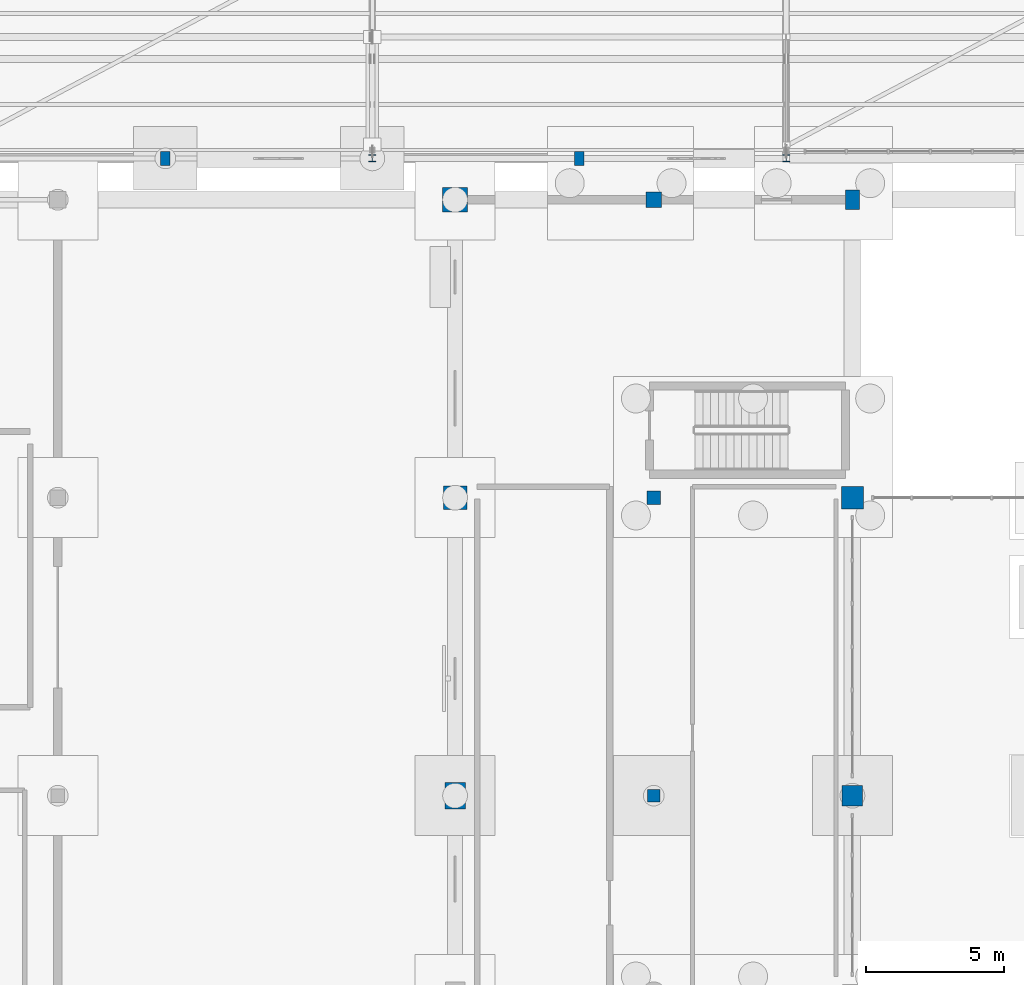
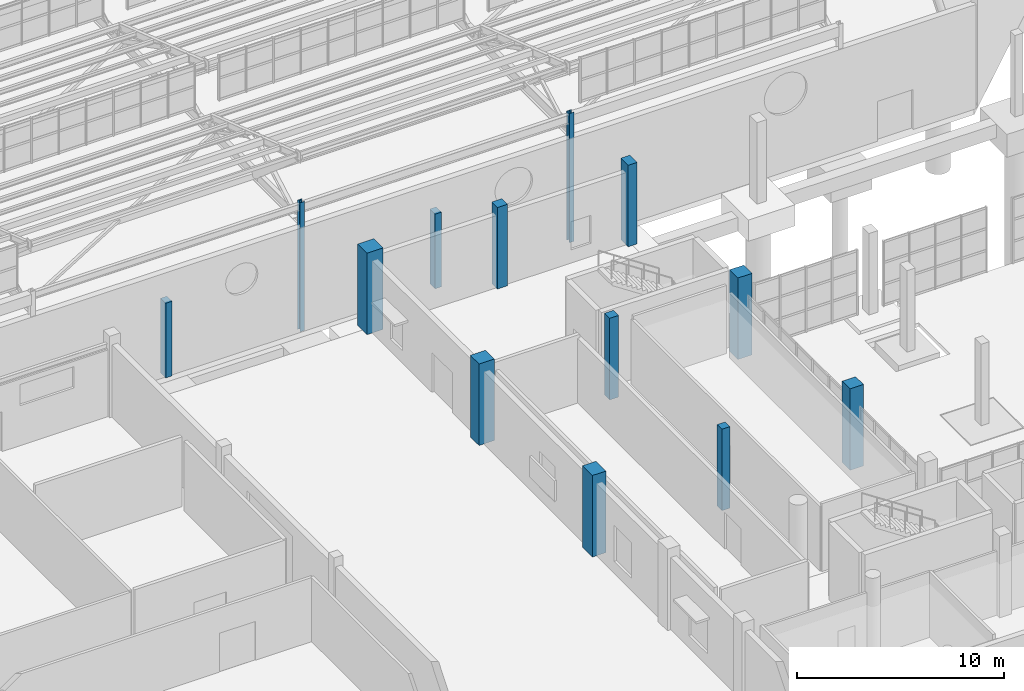
# One storey, part 17 of 285: 13 columns.
"""IFC4 building model written with IfcOpenShell, lengths in metres."""

from ifc_helpers import new_model, si_unit, direction, frame, origin, origin_2d, place, context, subcontext, project, spatial, rectangle, i_section, extrude, material, material_profile, profile_set, type_object, element, save


model = new_model("IFC4")

# Units and contexts
model_context = context("Model", 3, precision=1e-05, world=origin(), true_north=direction((0.0, 1.0)))
body_context = subcontext(model_context, "Body", "Model", "MODEL_VIEW")
ifc_project = project(units=[si_unit("LENGTHUNIT", "METRE"), si_unit("AREAUNIT", "SQUARE_METRE"), si_unit("VOLUMEUNIT", "CUBIC_METRE"), si_unit("PLANEANGLEUNIT", "RADIAN"), si_unit("MASSUNIT", "GRAM", prefix="KILO")], contexts=[model_context])

# Site, building, storey
site_placement = place(None, origin())
site = spatial("IfcSite", under=ifc_project, at=site_placement, CompositionType="ELEMENT")
building_placement = place(site_placement, origin())
building = spatial("IfcBuilding", under=site, at=building_placement, Name="Solanera Park Tramway Depot", CompositionType="ELEMENT")
storey_placement = place(building_placement, origin())
storey = spatial("IfcBuildingStorey", under=building, at=storey_placement, Name="L00", CompositionType="ELEMENT", Elevation=0.0)

# Columns
ifc_material_1 = material(Name="Concrete N40 (C40/50)", Category="concrete")
ifc_material_profile_1 = material_profile(ifc_material_1, rectangle(XDim=0.35009765625, YDim=0.5, at=origin_2d()), Name="PIL 350x500")
ifc_profile_set_1 = profile_set([ifc_material_profile_1], Name="Concrete N40 (C40/50)")
column_type_1 = type_object("IfcColumnType", Name="Classical Facade Pilaster PIL 350x500", PredefinedType="PILASTER", material=ifc_profile_set_1)
for number, where, z_axis, x_axis, name in (
    (1, (97.5, 55.5, 0.0), (0.0, 0.0, 1.0), (1.0, 0.0, 0.0), "L00 Classical Pilaster 04"),
    (2, (112.5, 55.5, 0.0), (0.0, 0.0, 1.0), (1.0, 0.0, 0.0), "L00 Classical Pilaster 05"),
):
    element("IfcColumn", number, at=place(storey_placement, frame(where, z_axis=z_axis, x_axis=x_axis)), inside=storey, type_object=column_type_1, Name=name, PredefinedType="PILASTER", context=body_context, shape_type="SweptSolid", body=[
        extrude(rectangle(XDim=0.35009765625, YDim=0.5, at=origin_2d()), origin(), (0.0, 0.0, 1.0), 4.39990234375),
    ])
ifc_material_2 = material(Name="Concrete N40 (C40/50)", Category="concrete")
ifc_material_profile_2 = material_profile(ifc_material_2, rectangle(XDim=0.5, YDim=0.699951171875, at=origin_2d()), Name="RC 500x700")
ifc_profile_set_2 = profile_set([ifc_material_profile_2], Name="Concrete N40 (C40/50)")
column_type_2 = type_object("IfcColumnType", Name="RC Column Ext RC 500x700", PredefinedType="COLUMN", material=ifc_profile_set_2)
column_1_placement = place(storey_placement, frame((122.39990234375, 54.0, 0.0), z_axis=(0.0, 0.0, 1.0), x_axis=(1.0, 0.0, 0.0)))
element("IfcColumn", 3, at=column_1_placement, inside=storey, type_object=column_type_2, Name="L00 Column V4-X1224-Y540", PredefinedType="COLUMN", context=body_context, shape_type="SweptSolid", body=[
    extrude(rectangle(XDim=0.5, YDim=0.699951171875, at=origin_2d()), origin(), (0.0, 0.0, 1.0), 4.800048828125),
])
ifc_material_3 = material(Name="Concrete N40 (C40/50)", Category="concrete")
ifc_material_profile_3 = material_profile(ifc_material_3, rectangle(XDim=0.550048828125, YDim=0.550048828125, at=origin_2d()), Name="RC 550x550")
ifc_profile_set_3 = profile_set([ifc_material_profile_3], Name="Concrete N40 (C40/50)")
column_type_3 = type_object("IfcColumnType", Name="RC Column Ext RC 550x550", PredefinedType="COLUMN", material=ifc_profile_set_3)
column_2_placement = place(storey_placement, frame((115.199951171875, 54.0, 0.0), z_axis=(0.0, 0.0, 1.0), x_axis=(1.0, 0.0, 0.0)))
element("IfcColumn", 4, at=column_2_placement, inside=storey, type_object=column_type_3, Name="L00 Column V4-X1152-Y540", PredefinedType="COLUMN", context=body_context, shape_type="SweptSolid", body=[
    extrude(rectangle(XDim=0.550048828125, YDim=0.550048828125, at=origin_2d()), origin(), (0.0, 0.0, 1.0), 4.800048828125),
])
ifc_material_4 = material(Name="Concrete N40 (C40/50)", Category="concrete")
ifc_material_profile_4 = material_profile(ifc_material_4, rectangle(XDim=0.75, YDim=0.949951171875, at=origin_2d()), Name="RC 750x950")
ifc_profile_set_4 = profile_set([ifc_material_profile_4], Name="Concrete N40 (C40/50)")
column_type_4 = type_object("IfcColumnType", Name="RC Column Ext RC 750x950", PredefinedType="COLUMN", material=ifc_profile_set_4)
column_3_placement = place(storey_placement, frame((108.0, 32.39990234375, 0.0), z_axis=(0.0, 0.0, 1.0), x_axis=(1.0, 0.0, 0.0)))
element("IfcColumn", 5, at=column_3_placement, inside=storey, type_object=column_type_4, Name="L00 Column V4-X1080-Y324", PredefinedType="COLUMN", context=body_context, shape_type="SweptSolid", body=[
    extrude(rectangle(XDim=0.75, YDim=0.949951171875, at=origin_2d()), origin(), (0.0, 0.0, 1.0), 4.800048828125),
])
ifc_material_5 = material(Name="Concrete N40 (C40/50)", Category="concrete")
ifc_material_profile_5 = material_profile(ifc_material_5, rectangle(XDim=0.85009765625, YDim=0.85009765625, at=origin_2d()), Name="RC 850x850")
ifc_profile_set_5 = profile_set([ifc_material_profile_5], Name="Concrete N40 (C40/50)")
column_type_5 = type_object("IfcColumnType", Name="RC Column Ext RC 850x850", PredefinedType="COLUMN", material=ifc_profile_set_5)
column_4_placement = place(storey_placement, frame((108.0, 43.199951171875, 0.0), z_axis=(0.0, 0.0, 1.0), x_axis=(1.0, 0.0, 0.0)))
element("IfcColumn", 6, at=column_4_placement, inside=storey, type_object=column_type_5, Name="L00 Column V4-X1080-Y432", PredefinedType="COLUMN", context=body_context, shape_type="SweptSolid", body=[
    extrude(rectangle(XDim=0.85009765625, YDim=0.85009765625, at=origin_2d()), origin(), (0.0, 0.0, 1.0), 4.800048828125),
])
ifc_material_6 = material(Name="Concrete N40 (C40/50)", Category="concrete")
ifc_material_profile_6 = material_profile(ifc_material_6, rectangle(XDim=0.89990234375, YDim=0.89990234375, at=origin_2d()), Name="RC 900x900")
ifc_profile_set_6 = profile_set([ifc_material_profile_6], Name="Concrete N40 (C40/50)")
column_type_6 = type_object("IfcColumnType", Name="RC Column Ext RC 900x900", PredefinedType="COLUMN", material=ifc_profile_set_6)
column_5_placement = place(storey_placement, frame((108.0, 54.0, 0.0), z_axis=(0.0, 0.0, 1.0), x_axis=(1.0, 0.0, 0.0)))
element("IfcColumn", 7, at=column_5_placement, inside=storey, type_object=column_type_6, Name="L00 Column V4-X1080-Y540", PredefinedType="COLUMN", context=body_context, shape_type="SweptSolid", body=[
    extrude(rectangle(XDim=0.89990234375, YDim=0.89990234375, at=origin_2d()), origin(), (0.0, 0.0, 1.0), 4.800048828125),
])
ifc_material_7 = material(Name="Concrete N40 (C40/50)", Category="concrete")
ifc_material_profile_7 = material_profile(ifc_material_7, rectangle(XDim=0.449951171875, YDim=0.449951171875, at=origin_2d()), Name="RC 450x450")
ifc_profile_set_7 = profile_set([ifc_material_profile_7], Name="Concrete N40 (C40/50)")
column_type_7 = type_object("IfcColumnType", Name="RC Column Int RC 450x450", PredefinedType="COLUMN", material=ifc_profile_set_7)
column_6_placement = place(storey_placement, frame((115.199951171875, 32.39990234375, 0.0), z_axis=(0.0, 0.0, 1.0), x_axis=(1.0, 0.0, 0.0)))
element("IfcColumn", 8, at=column_6_placement, inside=storey, type_object=column_type_7, Name="L00 Column V4-X1152-Y324", PredefinedType="COLUMN", context=body_context, shape_type="SweptSolid", body=[
    extrude(rectangle(XDim=0.449951171875, YDim=0.449951171875, at=origin_2d()), origin(), (0.0, 0.0, 1.0), 4.800048828125),
])
ifc_material_8 = material(Name="Concrete N40 (C40/50)", Category="concrete")
ifc_material_profile_8 = material_profile(ifc_material_8, rectangle(XDim=0.5, YDim=0.5, at=origin_2d()), Name="RC 500x500")
ifc_profile_set_8 = profile_set([ifc_material_profile_8], Name="Concrete N40 (C40/50)")
column_type_8 = type_object("IfcColumnType", Name="RC Column Int RC 500x500", PredefinedType="COLUMN", material=ifc_profile_set_8)
column_7_placement = place(storey_placement, frame((115.199951171875, 43.199951171875, 0.0), z_axis=(0.0, 0.0, 1.0), x_axis=(1.0, 0.0, 0.0)))
element("IfcColumn", 9, at=column_7_placement, inside=storey, type_object=column_type_8, Name="L00 Column V4-X1152-Y432", PredefinedType="COLUMN", context=body_context, shape_type="SweptSolid", body=[
    extrude(rectangle(XDim=0.5, YDim=0.5, at=origin_2d()), origin(), (0.0, 0.0, 1.0), 4.800048828125),
])
ifc_material_9 = material(Name="Concrete N40 (C40/50)", Category="concrete")
ifc_material_profile_9 = material_profile(ifc_material_9, rectangle(XDim=0.75, YDim=0.75, at=origin_2d()), Name="RC 750x750")
ifc_profile_set_9 = profile_set([ifc_material_profile_9], Name="Concrete N40 (C40/50)")
column_type_9 = type_object("IfcColumnType", Name="RC Column Int RC 750x750", PredefinedType="COLUMN", material=ifc_profile_set_9)
column_8_placement = place(storey_placement, frame((122.39990234375, 32.39990234375, 0.0), z_axis=(0.0, 0.0, 1.0), x_axis=(1.0, 0.0, 0.0)))
element("IfcColumn", 10, at=column_8_placement, inside=storey, type_object=column_type_9, Name="L00 Column V4-X1224-Y324", PredefinedType="COLUMN", context=body_context, shape_type="SweptSolid", body=[
    extrude(rectangle(XDim=0.75, YDim=0.75, at=origin_2d()), origin(), (0.0, 0.0, 1.0), 4.800048828125),
])
ifc_material_10 = material(Name="Concrete N40 (C40/50)", Category="concrete")
ifc_material_profile_10 = material_profile(ifc_material_10, rectangle(XDim=0.800048828125, YDim=0.800048828125, at=origin_2d()), Name="RC 800x800")
ifc_profile_set_10 = profile_set([ifc_material_profile_10], Name="Concrete N40 (C40/50)")
column_type_10 = type_object("IfcColumnType", Name="RC Column Int RC 800x800", PredefinedType="COLUMN", material=ifc_profile_set_10)
column_9_placement = place(storey_placement, frame((122.39990234375, 43.199951171875, 0.0), z_axis=(0.0, 0.0, 1.0), x_axis=(1.0, 0.0, 0.0)))
element("IfcColumn", 11, at=column_9_placement, inside=storey, type_object=column_type_10, Name="L00 Column V4-X1224-Y432", PredefinedType="COLUMN", context=body_context, shape_type="SweptSolid", body=[
    extrude(rectangle(XDim=0.800048828125, YDim=0.800048828125, at=origin_2d()), origin(), (0.0, 0.0, 1.0), 4.800048828125),
])
ifc_material_11 = material(Name="Steel AS/NZS 3679.1 Grade 350", Category="steel")
ifc_material_profile_11 = material_profile(ifc_material_11, i_section(OverallWidth=0.255615234375, OverallDepth=0.260009765625, WebThickness=0.010498046875, FlangeThickness=0.017333984375, at=origin_2d()), Name="250UC89.5")
ifc_profile_set_11 = profile_set([ifc_material_profile_11], Name="Steel AS/NZS 3679.1 Grade 350")
column_type_11 = type_object("IfcColumnType", Name="Steel Column Ext 250UC89.5", PredefinedType="COLUMN", material=ifc_profile_set_11)
for number, where, z_axis, x_axis, name in (
    (12, (105.0, 55.5, 0.0), (0.0, 0.0, 1.0), (1.0, 0.0, 0.0), "L00 Column V1-X1050-Y555"),
    (13, (120.0, 55.5, 0.0), (0.0, 0.0, 1.0), (1.0, 0.0, 0.0), "L00 Column V1-X1200-Y555"),
):
    element("IfcColumn", number, at=place(storey_placement, frame(where, z_axis=z_axis, x_axis=x_axis)), inside=storey, type_object=column_type_11, Name=name, PredefinedType="COLUMN", context=body_context, shape_type="SweptSolid", body=[
        extrude(i_section(OverallWidth=0.255615234375, OverallDepth=0.260009765625, WebThickness=0.010498046875, FlangeThickness=0.017333984375, at=origin_2d()), origin(), (0.0, 0.0, 1.0), 7.60009765625),
    ])

save(model, "model.ifc")
